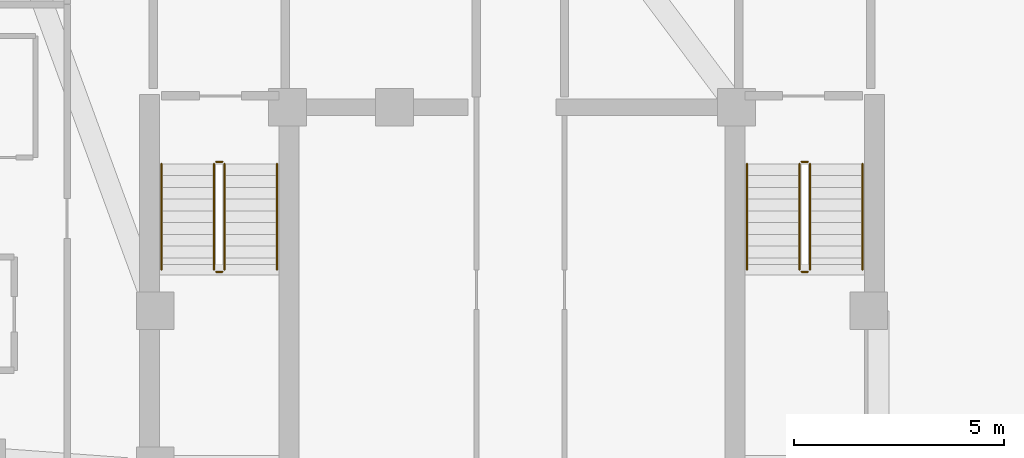
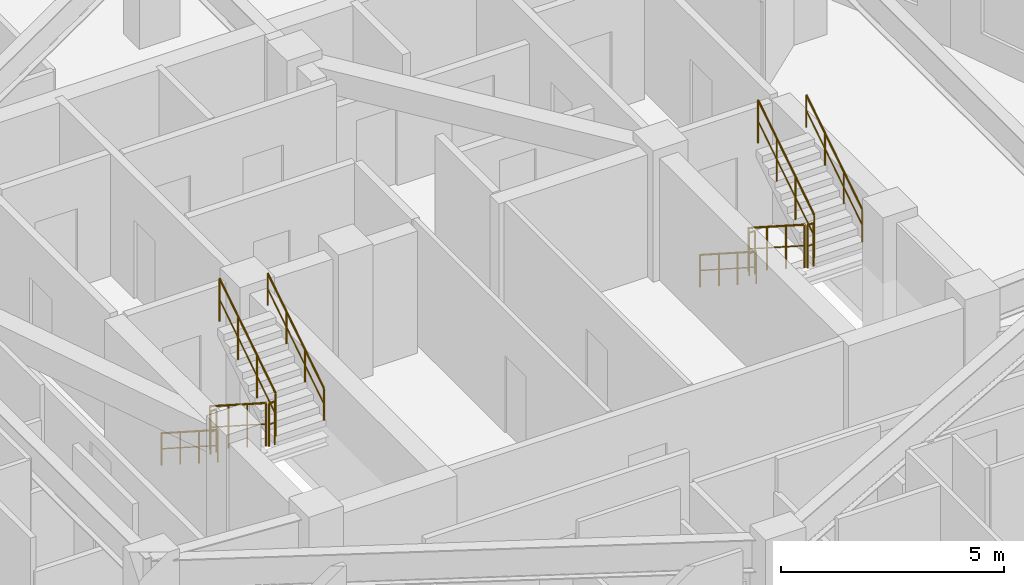
# One storey, part 13 of 13: 12 railings.
"""IFC4 building model written with IfcOpenShell, lengths in metres."""

from ifc_helpers import new_model, si_unit, direction, frame, origin, origin_2d, place, context, subcontext, project, spatial, circle, extrude, material, type_object, element, save


model = new_model("IFC4")

# Units and contexts
model_context = context("Model", 3, precision=1e-05, world=origin(), true_north=direction((0.0, 1.0)))
body_context = subcontext(model_context, "Body", "Model", "MODEL_VIEW")
ifc_project = project(units=[si_unit("LENGTHUNIT", "METRE"), si_unit("AREAUNIT", "SQUARE_METRE"), si_unit("VOLUMEUNIT", "CUBIC_METRE"), si_unit("PLANEANGLEUNIT", "RADIAN"), si_unit("MASSUNIT", "GRAM", prefix="KILO")], contexts=[model_context])

# Site, building, storey
site_placement = place(None, origin())
site = spatial("IfcSite", under=ifc_project, at=site_placement, CompositionType="ELEMENT")
building_placement = place(site_placement, origin())
building = spatial("IfcBuilding", under=site, at=building_placement, Name="Miruveldt Soraemaru", CompositionType="ELEMENT")
storey_placement = place(building_placement, frame((0.0, 0.0, 201.60009765625)))
storey = spatial("IfcBuildingStorey", under=building, at=storey_placement, Name="L55", CompositionType="ELEMENT", Elevation=201.60009765625)

# Railings
ifc_material = material(Name="Steel S355 (355 MPa)", Category="steel")
railing_type_1 = type_object("IfcRailingType", Name="RAIL-HR-900", PredefinedType="HANDRAIL", material=ifc_material)
railing_1_placement = place(storey_placement, frame((35.64990234375, 42.699951171875, 0.179931640625)))
element("IfcRailing", 1, at=railing_1_placement, inside=storey, type_object=railing_type_1, Name="L55 ST-1 stair handrail 1", PredefinedType="HANDRAIL", context=body_context, shape_type="SweptSolid", body=[
    extrude(circle(Radius=0.02392578125, at=origin_2d()), frame((0.0, 0.0, 0.8759765625), z_axis=(0.0, -0.841199657755, 0.540724639528), x_axis=(1.0, 0.0, 0.0)), (0.0, 0.0, 1.0), 2.995849609375),
    extrude(circle(Radius=0.01611328125, at=origin_2d()), frame((0.0, 0.0, 0.449951171875), z_axis=(0.0, -0.841199657755, 0.540724639528), x_axis=(1.0, 0.0, 0.0)), (0.0, 0.0, 1.0), 2.995849609375),
    extrude(circle(Radius=0.02099609375, at=origin_2d()), origin(), (0.0, 0.0, 1.0), 0.851806640625),
    extrude(circle(Radius=0.02099609375, at=origin_2d()), frame((0.0, -0.840087890625, 0.5400390625)), (0.0, 0.0, 1.0), 0.851806640625),
    extrude(circle(Radius=0.02099609375, at=origin_2d()), frame((0.0, -1.679931640625, 1.079833984375)), (0.0, 0.0, 1.0), 0.851806640625),
    extrude(circle(Radius=0.02099609375, at=origin_2d()), frame((0.0, -2.52001953125, 1.619873046875)), (0.0, 0.0, 1.0), 0.851806640625),
])
railing_2_placement = place(storey_placement, frame((38.39990234375, 40.179931640625, 1.97998046875)))
element("IfcRailing", 2, at=railing_2_placement, inside=storey, type_object=railing_type_1, Name="L55 ST-1 stair handrail 2", PredefinedType="HANDRAIL", context=body_context, shape_type="SweptSolid", body=[
    extrude(circle(Radius=0.02392578125, at=origin_2d()), frame((0.0, 0.0, 0.8759765625), z_axis=(0.0, 0.841199657755, 0.540724639528), x_axis=(-1.0, 0.0, 0.0)), (0.0, 0.0, 1.0), 2.995849609375),
    extrude(circle(Radius=0.01611328125, at=origin_2d()), frame((0.0, 0.0, 0.449951171875), z_axis=(0.0, 0.841199657755, 0.540724639528), x_axis=(-1.0, 0.0, 0.0)), (0.0, 0.0, 1.0), 2.995849609375),
    extrude(circle(Radius=0.02099609375, at=origin_2d()), origin(), (0.0, 0.0, 1.0), 0.851806640625),
    extrude(circle(Radius=0.02099609375, at=origin_2d()), frame((0.0, 0.840087890625, 0.5400390625)), (0.0, 0.0, 1.0), 0.851806640625),
    extrude(circle(Radius=0.02099609375, at=origin_2d()), frame((0.0, 1.679931640625, 1.079833984375)), (0.0, 0.0, 1.0), 0.851806640625),
    extrude(circle(Radius=0.02099609375, at=origin_2d()), frame((0.0, 2.52001953125, 1.619873046875)), (0.0, 0.0, 1.0), 0.851806640625),
])
railing_3_placement = place(storey_placement, frame((49.60009765625, 42.699951171875, 0.179931640625)))
element("IfcRailing", 3, at=railing_3_placement, inside=storey, type_object=railing_type_1, Name="L55 ST-2 stair handrail 1", PredefinedType="HANDRAIL", context=body_context, shape_type="SweptSolid", body=[
    extrude(circle(Radius=0.02392578125, at=origin_2d()), frame((0.0, 0.0, 0.8759765625), z_axis=(0.0, -0.841199657755, 0.540724639528), x_axis=(1.0, 0.0, 0.0)), (0.0, 0.0, 1.0), 2.995849609375),
    extrude(circle(Radius=0.01611328125, at=origin_2d()), frame((0.0, 0.0, 0.449951171875), z_axis=(0.0, -0.841199657755, 0.540724639528), x_axis=(1.0, 0.0, 0.0)), (0.0, 0.0, 1.0), 2.995849609375),
    extrude(circle(Radius=0.02099609375, at=origin_2d()), origin(), (0.0, 0.0, 1.0), 0.851806640625),
    extrude(circle(Radius=0.02099609375, at=origin_2d()), frame((0.0, -0.840087890625, 0.5400390625)), (0.0, 0.0, 1.0), 0.851806640625),
    extrude(circle(Radius=0.02099609375, at=origin_2d()), frame((0.0, -1.679931640625, 1.079833984375)), (0.0, 0.0, 1.0), 0.851806640625),
    extrude(circle(Radius=0.02099609375, at=origin_2d()), frame((0.0, -2.52001953125, 1.619873046875)), (0.0, 0.0, 1.0), 0.851806640625),
])
railing_4_placement = place(storey_placement, frame((52.35009765625, 40.179931640625, 1.97998046875)))
element("IfcRailing", 4, at=railing_4_placement, inside=storey, type_object=railing_type_1, Name="L55 ST-2 stair handrail 2", PredefinedType="HANDRAIL", context=body_context, shape_type="SweptSolid", body=[
    extrude(circle(Radius=0.02392578125, at=origin_2d()), frame((0.0, 0.0, 0.8759765625), z_axis=(0.0, 0.841199657755, 0.540724639528), x_axis=(-1.0, 0.0, 0.0)), (0.0, 0.0, 1.0), 2.995849609375),
    extrude(circle(Radius=0.01611328125, at=origin_2d()), frame((0.0, 0.0, 0.449951171875), z_axis=(0.0, 0.841199657755, 0.540724639528), x_axis=(-1.0, 0.0, 0.0)), (0.0, 0.0, 1.0), 2.995849609375),
    extrude(circle(Radius=0.02099609375, at=origin_2d()), origin(), (0.0, 0.0, 1.0), 0.851806640625),
    extrude(circle(Radius=0.02099609375, at=origin_2d()), frame((0.0, 0.840087890625, 0.5400390625)), (0.0, 0.0, 1.0), 0.851806640625),
    extrude(circle(Radius=0.02099609375, at=origin_2d()), frame((0.0, 1.679931640625, 1.079833984375)), (0.0, 0.0, 1.0), 0.851806640625),
    extrude(circle(Radius=0.02099609375, at=origin_2d()), frame((0.0, 2.52001953125, 1.619873046875)), (0.0, 0.0, 1.0), 0.851806640625),
])
railing_type_2 = type_object("IfcRailingType", Name="RAIL-STGUARD-1200", PredefinedType="GUARDRAIL", material=ifc_material)
railing_5_placement = place(storey_placement, frame((36.89990234375, 42.699951171875, 0.179931640625)))
element("IfcRailing", 5, at=railing_5_placement, inside=storey, type_object=railing_type_2, Name="L55 ST-1 stair guard 1", PredefinedType="GUARDRAIL", context=body_context, shape_type="SweptSolid", body=[
    extrude(circle(Radius=0.02392578125, at=origin_2d()), frame((0.0, 0.0, 1.17578125), z_axis=(0.0, -0.841199657755, 0.540724639528), x_axis=(1.0, 0.0, 0.0)), (0.0, 0.0, 1.0), 2.995849609375),
    extrude(circle(Radius=0.01611328125, at=origin_2d()), frame((0.0, 0.0, 0.60009765625), z_axis=(0.0, -0.841199657755, 0.540724639528), x_axis=(1.0, 0.0, 0.0)), (0.0, 0.0, 1.0), 2.995849609375),
    extrude(circle(Radius=0.02099609375, at=origin_2d()), origin(), (0.0, 0.0, 1.0), 1.15185546875),
    extrude(circle(Radius=0.02099609375, at=origin_2d()), frame((0.0, -0.840087890625, 0.5400390625)), (0.0, 0.0, 1.0), 1.15185546875),
    extrude(circle(Radius=0.02099609375, at=origin_2d()), frame((0.0, -1.679931640625, 1.079833984375)), (0.0, 0.0, 1.0), 1.15185546875),
    extrude(circle(Radius=0.02099609375, at=origin_2d()), frame((0.0, -2.52001953125, 1.619873046875)), (0.0, 0.0, 1.0), 1.15185546875),
])
railing_6_placement = place(storey_placement, frame((36.949951171875, 40.1298828125, 1.7998046875)))
element("IfcRailing", 6, at=railing_6_placement, inside=storey, type_object=railing_type_2, Name="L55 ST-1 stair guard 2", PredefinedType="GUARDRAIL", context=body_context, shape_type="SweptSolid", body=[
    extrude(circle(Radius=0.02392578125, at=origin_2d()), frame((0.0, 0.0, 1.17578125), z_axis=(1.0, 0.0, 0.0), x_axis=(0.0, 1.0, 0.0)), (0.0, 0.0, 1.0), 0.150146484375),
    extrude(circle(Radius=0.01611328125, at=origin_2d()), frame((0.0, 0.0, 0.60009765625), z_axis=(1.0, 0.0, 0.0), x_axis=(0.0, 1.0, 0.0)), (0.0, 0.0, 1.0), 0.150146484375),
    extrude(circle(Radius=0.02099609375, at=origin_2d()), origin(), (0.0, 0.0, 1.0), 1.15185546875),
    extrude(circle(Radius=0.02099609375, at=origin_2d()), frame((0.150146484375, 0.0, 0.0)), (0.0, 0.0, 1.0), 1.15185546875),
])
railing_7_placement = place(storey_placement, frame((37.14990234375, 40.179931640625, 1.97998046875)))
element("IfcRailing", 7, at=railing_7_placement, inside=storey, type_object=railing_type_2, Name="L55 ST-1 stair guard 3", PredefinedType="GUARDRAIL", context=body_context, shape_type="SweptSolid", body=[
    extrude(circle(Radius=0.02392578125, at=origin_2d()), frame((0.0, 0.0, 1.17578125), z_axis=(0.0, 0.841199657755, 0.540724639528), x_axis=(-1.0, 0.0, 0.0)), (0.0, 0.0, 1.0), 2.995849609375),
    extrude(circle(Radius=0.01611328125, at=origin_2d()), frame((0.0, 0.0, 0.60009765625), z_axis=(0.0, 0.841199657755, 0.540724639528), x_axis=(-1.0, 0.0, 0.0)), (0.0, 0.0, 1.0), 2.995849609375),
    extrude(circle(Radius=0.02099609375, at=origin_2d()), origin(), (0.0, 0.0, 1.0), 1.15185546875),
    extrude(circle(Radius=0.02099609375, at=origin_2d()), frame((0.0, 0.840087890625, 0.5400390625)), (0.0, 0.0, 1.0), 1.15185546875),
    extrude(circle(Radius=0.02099609375, at=origin_2d()), frame((0.0, 1.679931640625, 1.079833984375)), (0.0, 0.0, 1.0), 1.15185546875),
    extrude(circle(Radius=0.02099609375, at=origin_2d()), frame((0.0, 2.52001953125, 1.619873046875)), (0.0, 0.0, 1.0), 1.15185546875),
])
railing_8_placement = place(storey_placement, frame((36.949951171875, 42.75, 0.0)))
element("IfcRailing", 8, at=railing_8_placement, inside=storey, type_object=railing_type_2, Name="L55 ST-1 stair guard 4", PredefinedType="GUARDRAIL", context=body_context, shape_type="SweptSolid", body=[
    extrude(circle(Radius=0.02392578125, at=origin_2d()), frame((0.0, 0.0, 1.17578125), z_axis=(1.0, 0.0, 0.0), x_axis=(0.0, 1.0, 0.0)), (0.0, 0.0, 1.0), 0.150146484375),
    extrude(circle(Radius=0.01611328125, at=origin_2d()), frame((0.0, 0.0, 0.60009765625), z_axis=(1.0, 0.0, 0.0), x_axis=(0.0, 1.0, 0.0)), (0.0, 0.0, 1.0), 0.150146484375),
    extrude(circle(Radius=0.02099609375, at=origin_2d()), origin(), (0.0, 0.0, 1.0), 1.15185546875),
    extrude(circle(Radius=0.02099609375, at=origin_2d()), frame((0.150146484375, 0.0, 0.0)), (0.0, 0.0, 1.0), 1.15185546875),
])
railing_9_placement = place(storey_placement, frame((50.85009765625, 42.699951171875, 0.179931640625)))
element("IfcRailing", 9, at=railing_9_placement, inside=storey, type_object=railing_type_2, Name="L55 ST-2 stair guard 1", PredefinedType="GUARDRAIL", context=body_context, shape_type="SweptSolid", body=[
    extrude(circle(Radius=0.02392578125, at=origin_2d()), frame((0.0, 0.0, 1.17578125), z_axis=(0.0, -0.841199657755, 0.540724639528), x_axis=(1.0, 0.0, 0.0)), (0.0, 0.0, 1.0), 2.995849609375),
    extrude(circle(Radius=0.01611328125, at=origin_2d()), frame((0.0, 0.0, 0.60009765625), z_axis=(0.0, -0.841199657755, 0.540724639528), x_axis=(1.0, 0.0, 0.0)), (0.0, 0.0, 1.0), 2.995849609375),
    extrude(circle(Radius=0.02099609375, at=origin_2d()), origin(), (0.0, 0.0, 1.0), 1.15185546875),
    extrude(circle(Radius=0.02099609375, at=origin_2d()), frame((0.0, -0.840087890625, 0.5400390625)), (0.0, 0.0, 1.0), 1.15185546875),
    extrude(circle(Radius=0.02099609375, at=origin_2d()), frame((0.0, -1.679931640625, 1.079833984375)), (0.0, 0.0, 1.0), 1.15185546875),
    extrude(circle(Radius=0.02099609375, at=origin_2d()), frame((0.0, -2.52001953125, 1.619873046875)), (0.0, 0.0, 1.0), 1.15185546875),
])
railing_10_placement = place(storey_placement, frame((50.89990234375, 40.1298828125, 1.7998046875)))
element("IfcRailing", 10, at=railing_10_placement, inside=storey, type_object=railing_type_2, Name="L55 ST-2 stair guard 2", PredefinedType="GUARDRAIL", context=body_context, shape_type="SweptSolid", body=[
    extrude(circle(Radius=0.02392578125, at=origin_2d()), frame((0.0, 0.0, 1.17578125), z_axis=(1.0, 0.0, 0.0), x_axis=(0.0, 1.0, 0.0)), (0.0, 0.0, 1.0), 0.150146484375),
    extrude(circle(Radius=0.01611328125, at=origin_2d()), frame((0.0, 0.0, 0.60009765625), z_axis=(1.0, 0.0, 0.0), x_axis=(0.0, 1.0, 0.0)), (0.0, 0.0, 1.0), 0.150146484375),
    extrude(circle(Radius=0.02099609375, at=origin_2d()), origin(), (0.0, 0.0, 1.0), 1.15185546875),
    extrude(circle(Radius=0.02099609375, at=origin_2d()), frame((0.150146484375, 0.0, 0.0)), (0.0, 0.0, 1.0), 1.15185546875),
])
railing_11_placement = place(storey_placement, frame((51.10009765625, 40.179931640625, 1.97998046875)))
element("IfcRailing", 11, at=railing_11_placement, inside=storey, type_object=railing_type_2, Name="L55 ST-2 stair guard 3", PredefinedType="GUARDRAIL", context=body_context, shape_type="SweptSolid", body=[
    extrude(circle(Radius=0.02392578125, at=origin_2d()), frame((0.0, 0.0, 1.17578125), z_axis=(0.0, 0.841199657755, 0.540724639528), x_axis=(-1.0, 0.0, 0.0)), (0.0, 0.0, 1.0), 2.995849609375),
    extrude(circle(Radius=0.01611328125, at=origin_2d()), frame((0.0, 0.0, 0.60009765625), z_axis=(0.0, 0.841199657755, 0.540724639528), x_axis=(-1.0, 0.0, 0.0)), (0.0, 0.0, 1.0), 2.995849609375),
    extrude(circle(Radius=0.02099609375, at=origin_2d()), origin(), (0.0, 0.0, 1.0), 1.15185546875),
    extrude(circle(Radius=0.02099609375, at=origin_2d()), frame((0.0, 0.840087890625, 0.5400390625)), (0.0, 0.0, 1.0), 1.15185546875),
    extrude(circle(Radius=0.02099609375, at=origin_2d()), frame((0.0, 1.679931640625, 1.079833984375)), (0.0, 0.0, 1.0), 1.15185546875),
    extrude(circle(Radius=0.02099609375, at=origin_2d()), frame((0.0, 2.52001953125, 1.619873046875)), (0.0, 0.0, 1.0), 1.15185546875),
])
railing_12_placement = place(storey_placement, frame((50.89990234375, 42.75, 0.0)))
element("IfcRailing", 12, at=railing_12_placement, inside=storey, type_object=railing_type_2, Name="L55 ST-2 stair guard 4", PredefinedType="GUARDRAIL", context=body_context, shape_type="SweptSolid", body=[
    extrude(circle(Radius=0.02392578125, at=origin_2d()), frame((0.0, 0.0, 1.17578125), z_axis=(1.0, 0.0, 0.0), x_axis=(0.0, 1.0, 0.0)), (0.0, 0.0, 1.0), 0.150146484375),
    extrude(circle(Radius=0.01611328125, at=origin_2d()), frame((0.0, 0.0, 0.60009765625), z_axis=(1.0, 0.0, 0.0), x_axis=(0.0, 1.0, 0.0)), (0.0, 0.0, 1.0), 0.150146484375),
    extrude(circle(Radius=0.02099609375, at=origin_2d()), origin(), (0.0, 0.0, 1.0), 1.15185546875),
    extrude(circle(Radius=0.02099609375, at=origin_2d()), frame((0.150146484375, 0.0, 0.0)), (0.0, 0.0, 1.0), 1.15185546875),
])

save(model, "model.ifc")
